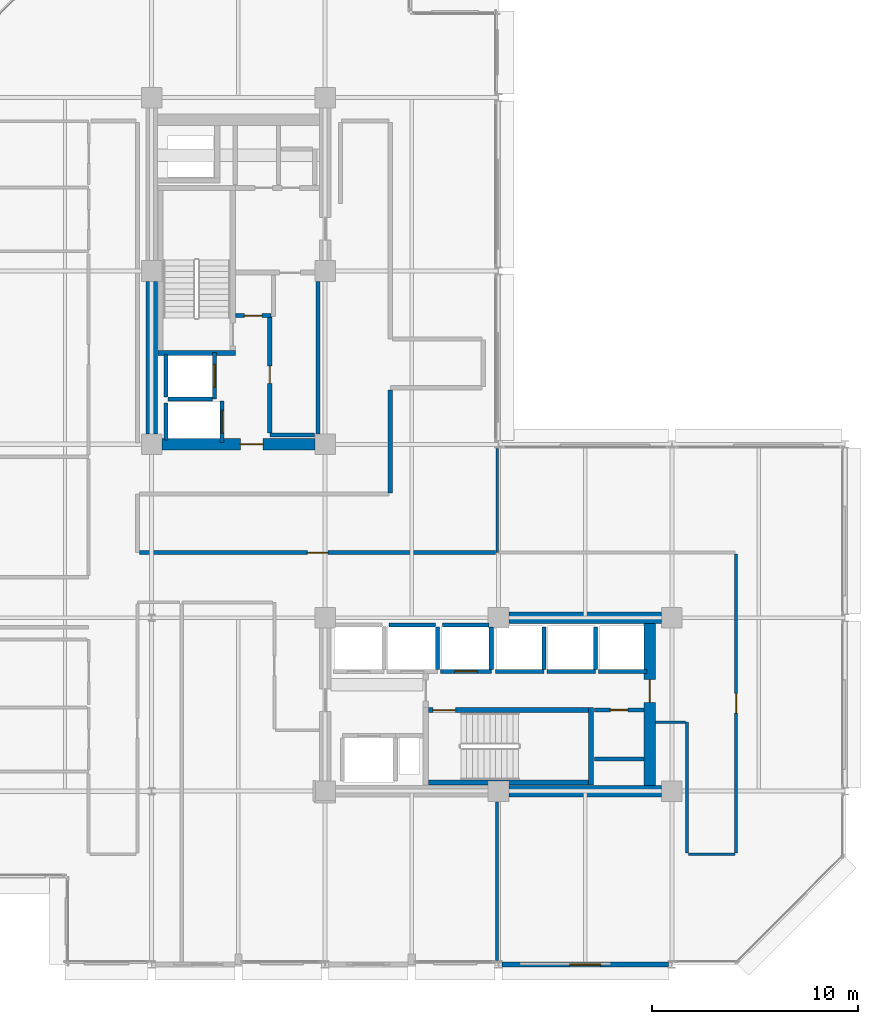
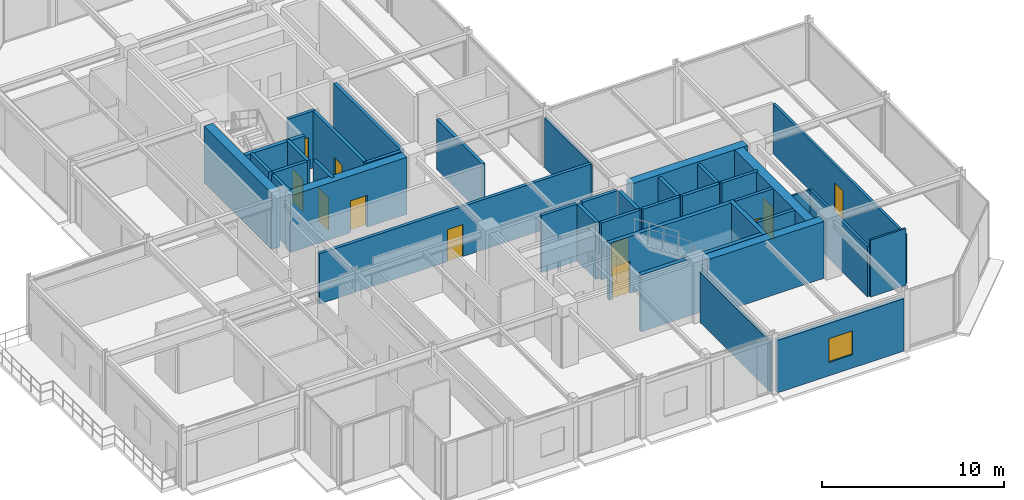
# One storey, part 25 of 29: 39 walls, 11 doors, 1 window, 12 openings.
"""IFC4 building model written with IfcOpenShell, lengths in metres."""

import ifcopenshell
import ifcopenshell.guid

model = None  # the IFC model being written
_history = None  # IfcOwnerHistory: only IFC2X3 demands one
_inside = {}  # id of a spatial element -> (the spatial element, [elements in it])
_under = {}  # id of a project, library or spatial element -> (it, [spatial elements below it])
_declared = {}  # id of a project -> (the project, [libraries it declares])
_typed = {}  # id of a type object -> (the type object, [elements of that type])
_made_of = {}  # id of a material, layer set ... -> (it, [elements and type objects made of it])


def new_model(schema):
    """Start an empty IFC model of exactly this schema.

    Asked for "IFC4X3", IfcOpenShell would pick the latest addendum, in which some entities
    have other attributes; the version numbers below select the first issue.
    IFC2X3 requires an IfcOwnerHistory on every rooted entity: one is made here for all.
    """
    global model, _history
    if schema == "IFC4X3":
        model = ifcopenshell.file(schema_version=(4, 3, 0, 0))
    else:
        model = ifcopenshell.file(schema=schema)
    _inside.clear()
    _under.clear()
    _declared.clear()
    _typed.clear()
    _made_of.clear()
    _history = None
    if model.schema == "IFC2X3":
        org = make("IfcOrganization", Name="unknown")
        user = make(
            "IfcPersonAndOrganization",
            ThePerson=make("IfcPerson", FamilyName="unknown"),
            TheOrganization=org,
        )
        app = make(
            "IfcApplication",
            ApplicationDeveloper=org,
            Version="unknown",
            ApplicationFullName="unknown",
            ApplicationIdentifier="unknown",
        )
        _history = make(
            "IfcOwnerHistory",
            OwningUser=user,
            OwningApplication=app,
            ChangeAction="ADDED",
            CreationDate=0,
        )
    return model


def make(cls, **values):
    """One entity of the class cls with the attributes given. An attribute that is None is left unset."""
    return model.create_entity(
        cls, **{name: value for name, value in values.items() if value is not None}
    )


def rooted(cls, **values):
    """An entity with a GlobalId (a new one), such as an element, a storey or a relation."""
    return make(cls, GlobalId=ifcopenshell.guid.new(), OwnerHistory=_history, **values)


def si_unit(unit_type, name, prefix=None):
    """IfcSIUnit, for example si_unit("LENGTHUNIT", "METRE", prefix="MILLI")."""
    return make("IfcSIUnit", UnitType=unit_type, Prefix=prefix, Name=name)


def assignment(units):
    """IfcUnitAssignment: the units of a project."""
    return None if units is None else make("IfcUnitAssignment", Units=units)


def point(xyz):
    """IfcCartesianPoint."""
    return None if xyz is None else make("IfcCartesianPoint", Coordinates=xyz)


def direction(xyz):
    """IfcDirection."""
    return None if xyz is None else make("IfcDirection", DirectionRatios=xyz)


def frame(location, z_axis=None, x_axis=None):
    """IfcAxis2Placement3D, a coordinate frame: its origin and axes. An axis left out is left unset."""
    return make(
        "IfcAxis2Placement3D",
        Location=point(location),
        Axis=direction(z_axis),
        RefDirection=direction(x_axis),
    )


def frame_2d(location, x_axis=None):
    """IfcAxis2Placement2D, a coordinate frame in the plane: its origin and x axis."""
    return make(
        "IfcAxis2Placement2D", Location=point(location), RefDirection=direction(x_axis)
    )


def origin():
    """The frame at (0, 0, 0) with its axes left unset."""
    return frame((0.0, 0.0, 0.0))


def place(relative_to, where):
    """IfcLocalPlacement: puts the frame where relative to a parent placement (None: the world)."""
    return make(
        "IfcLocalPlacement", PlacementRelTo=relative_to, RelativePlacement=where
    )


def context(
    kind, dimensions, precision=None, world=None, true_north=None, identifier=None
):
    """IfcGeometricRepresentationContext, for example the 3D "Model" context."""
    return make(
        "IfcGeometricRepresentationContext",
        ContextIdentifier=identifier,
        ContextType=kind,
        CoordinateSpaceDimension=dimensions,
        Precision=precision,
        WorldCoordinateSystem=world,
        TrueNorth=true_north,
    )


def subcontext(parent, identifier, kind, view, scale=None):
    """IfcGeometricRepresentationSubContext, for example "Body" below "Model"."""
    return make(
        "IfcGeometricRepresentationSubContext",
        ContextIdentifier=identifier,
        ContextType=kind,
        ParentContext=parent,
        TargetScale=scale,
        TargetView=view,
    )


def project(units=None, contexts=None):
    """IfcProject with its units and contexts."""
    return rooted(
        "IfcProject",
        Name="project",
        RepresentationContexts=contexts,
        UnitsInContext=assignment(units),
    )


def spatial(cls, under=None, at=None, **own):
    """A site, building, storey or space (cls), placed at a placement, below another one or the project."""
    s = rooted(cls, ObjectPlacement=at, **own)
    if under is not None:
        _under.setdefault(under.id(), (under, []))[1].append(s)
    return s


def profile(cls, at=None, kind="AREA", **sizes):
    """A parametric profile (cls). Its sizes go by their IFC names, for example OverallWidth=200.0."""
    return make(cls, ProfileType=kind, Position=at, **sizes)


def rectangle(**sizes):
    """IfcRectangleProfileDef."""
    return profile("IfcRectangleProfileDef", **sizes)


def extrude(swept, where, along, depth):
    """IfcExtrudedAreaSolid: the profile swept, set in the frame where, extruded along a direction by depth."""
    return make(
        "IfcExtrudedAreaSolid",
        SweptArea=swept,
        Position=where,
        ExtrudedDirection=direction(along),
        Depth=depth,
    )


def shape(context_of_items, identifier, shape_type, items):
    """IfcShapeRepresentation: the items that make up one representation, for example the "Body"."""
    return make(
        "IfcShapeRepresentation",
        ContextOfItems=context_of_items,
        RepresentationIdentifier=identifier,
        RepresentationType=shape_type,
        Items=items,
    )


def material(Name=None, Category=None):
    """IfcMaterial."""
    return make("IfcMaterial", Name=Name, Category=Category)


def layer(
    of_material, thickness, ventilated=None, Name=None, Category=None, Priority=None
):
    """IfcMaterialLayer: one layer of a wall or slab, of a material (None: an air gap)."""
    return make(
        "IfcMaterialLayer",
        Material=of_material,
        LayerThickness=thickness,
        IsVentilated=ventilated,
        Name=Name,
        Category=Category,
        Priority=Priority,
    )


def layer_set(layers, Name=None):
    """IfcMaterialLayerSet."""
    return make("IfcMaterialLayerSet", MaterialLayers=layers, LayerSetName=Name)


def made_of(thing, what):
    """Note that an element or type object is made of a material, layer set ...; save() writes the relation."""
    if what is not None:
        _made_of.setdefault(what.id(), (what, []))[1].append(thing)
    return thing


def type_object(cls, material=None, **own):
    """A type object (cls), such as IfcWallType, which elements share."""
    return made_of(rooted(cls, **own), material)


def element(
    cls,
    number,
    at=None,
    inside=None,
    cuts=None,
    type_object=None,
    material=None,
    context=None,
    identifier="Body",
    shape_type=None,
    held_by="IfcProductDefinitionShape",
    body=None,
    shapes=None,
    **own,
):
    """One element of the class cls, such as IfcWall. Its Tag is "e" and its number.

    at: its placement. inside: the storey or other place that contains it. cuts: it is an
    opening in that element (IfcRelVoidsElement). A single representation is given by context,
    identifier, shape_type and body (its items); several are given by shapes. held_by: the class
    of the entity that holds the representations. save() writes the other relations.
    """
    e = rooted(cls, Tag="e%d" % number, ObjectPlacement=at, **own)
    if body is not None:
        shapes = [shape(context, identifier, shape_type, body)]
    if shapes is not None:
        e.Representation = make(held_by, Representations=shapes)
    if inside is not None:
        _inside.setdefault(inside.id(), (inside, []))[1].append(e)
    if cuts is not None:
        rooted(
            "IfcRelVoidsElement", RelatingBuildingElement=cuts, RelatedOpeningElement=e
        )
    if type_object is not None:
        _typed.setdefault(type_object.id(), (type_object, []))[1].append(e)
    return made_of(e, material)


def fill(opening, filler):
    """IfcRelFillsElement: the door or window that sits in an opening."""
    return rooted(
        "IfcRelFillsElement",
        RelatingOpeningElement=opening,
        RelatedBuildingElement=filler,
    )


def aggregate(whole, parts):
    """IfcRelAggregates: a whole, such as a stair, and the parts it consists of."""
    return rooted("IfcRelAggregates", RelatingObject=whole, RelatedObjects=parts)


def save(model, path):
    """Write the relations noted so far, then the file.

    IfcRelAggregates (storeys below a building ...), IfcRelContainedInSpatialStructure (elements
    in a storey), IfcRelDefinesByType, IfcRelAssociatesMaterial and IfcRelDeclares: one each for
    every whole, place, type object, material and project.
    """
    for whole, parts in _under.values():
        aggregate(whole, parts)
    for where, things in _inside.values():
        rooted(
            "IfcRelContainedInSpatialStructure",
            RelatedElements=things,
            RelatingStructure=where,
        )
    for kind, things in _typed.values():
        rooted("IfcRelDefinesByType", RelatedObjects=things, RelatingType=kind)
    for what, things in _made_of.values():
        rooted("IfcRelAssociatesMaterial", RelatedObjects=things, RelatingMaterial=what)
    for by, libraries in _declared.values():
        rooted("IfcRelDeclares", RelatingContext=by, RelatedDefinitions=libraries)
    model.write(path)


model = new_model("IFC4")

# Units and contexts
model_context = context("Model", 3, precision=1e-05, world=origin(), true_north=direction((0.0, 1.0)))
body_context = subcontext(model_context, "Body", "Model", "MODEL_VIEW")
ifc_project = project(units=[si_unit("LENGTHUNIT", "METRE"), si_unit("AREAUNIT", "SQUARE_METRE"), si_unit("VOLUMEUNIT", "CUBIC_METRE"), si_unit("PLANEANGLEUNIT", "RADIAN"), si_unit("MASSUNIT", "GRAM", prefix="KILO")], contexts=[model_context])

# Site, building, storey
site_placement = place(None, origin())
site = spatial("IfcSite", under=ifc_project, at=site_placement, CompositionType="ELEMENT")
building_placement = place(site_placement, origin())
building = spatial("IfcBuilding", under=site, at=building_placement, Name="Nerrivon Quay Data Exchange", CompositionType="ELEMENT")
storey_placement = place(building_placement, frame((0.0, 0.0, 191.89990234375)))
storey = spatial("IfcBuildingStorey", under=building, at=storey_placement, Name="L45", CompositionType="ELEMENT", Elevation=191.89990234375)

# Wall, opening, window
ifc_material_1 = material(Name="Architectural terracotta precast concrete N50 (50 MPa)", Category="masonry")
ifc_layer_1 = layer(ifc_material_1, 0.239990234375)
ifc_layer_set_1 = layer_set([ifc_layer_1], Name="Architectural terracotta precast concrete N50 (50 MPa)")
wall_type_1 = type_object("IfcWallType", Name="EW-PREC-240", PredefinedType="STANDARD", material=ifc_layer_set_1)
wall_1_placement = place(storey_placement, frame((33.425048828125, 0.0, 0.0), z_axis=(0.0, 0.0, 1.0), x_axis=(-1.0, 0.0, 0.0)))
wall_1 = element("IfcWall", 1, at=wall_1_placement, inside=storey, type_object=wall_type_1, Name="L45 Podium Precast Spandrel Wall 23", PredefinedType="STANDARD", context=body_context, shape_type="SweptSolid", body=[
    extrude(rectangle(XDim=8.050048828125, YDim=0.239990234375, at=frame_2d((4.02490234375, 0.0))), origin(), (0.0, 0.0, 1.0), 3.525146484375),
])
opening_1_placement = place(wall_1_placement, frame((3.27490234375, 0.0, 0.89990234375)))
opening_1 = element("IfcOpeningElement", 2, at=opening_1_placement, cuts=wall_1, Name="Opening WN4", PredefinedType="OPENING", context=body_context, shape_type="SweptSolid", body=[
    extrude(rectangle(XDim=1.5, YDim=1.60009765625, at=frame_2d((0.75, 0.800048828125))), frame((0.0, 0.1298828125, 0.0), z_axis=(0.0, -1.0, 0.0), x_axis=(1.0, 0.0, 0.0)), (0.0, 0.0, 1.0), 0.260009765625),
])
ifc_material_2 = material(Name="Double-glazed low-E solar control glass", Category="glass")
window_type = type_object("IfcWindowType", Name="WIN-W4-1500x1600", PartitioningType="SINGLE_PANEL", PredefinedType="WINDOW", material=ifc_material_2)
window_placement = place(opening_1_placement, origin())
window = element("IfcWindow", 3, at=window_placement, inside=storey, type_object=window_type, Name="L45 Solar Facade Window 23", OverallHeight=1.60009765625, OverallWidth=1.5, PartitioningType="SINGLE_PANEL", PredefinedType="WINDOW", context=body_context, shape_type="SweptSolid", body=[
    extrude(rectangle(XDim=1.5, YDim=1.60009765625, at=frame_2d((0.75, 0.800048828125))), frame((0.0, 0.030029296875, 0.0), z_axis=(0.0, -1.0, 0.0), x_axis=(1.0, 0.0, 0.0)), (0.0, 0.0, 1.0), 0.06005859375),
])
fill(opening_1, window)

# Wall
ifc_material_3 = material(Name="Concrete S65 (65 MPa)", Category="concrete")
ifc_layer_2 = layer(ifc_material_3, 0.550048828125)
ifc_layer_set_2 = layer_set([ifc_layer_2], Name="Concrete S65 (65 MPa)")
wall_type_2 = type_object("IfcWallType", Name="WALL-CW-700", PredefinedType="SHEAR", material=ifc_layer_set_2)
wall_2_placement = place(storey_placement, frame((8.39990234375, 25.699951171875, 0.0), z_axis=(0.0, 0.0, 1.0), x_axis=(0.0, 1.0, 0.0)))
element("IfcWall", 4, at=wall_2_placement, inside=storey, type_object=wall_type_2, Name="L45 West Split-Core Shear Wall WCW-W1", PredefinedType="SHEAR", context=body_context, shape_type="SweptSolid", body=[
    extrude(rectangle(XDim=7.400146484375, YDim=0.550048828125, at=frame_2d((3.7001953125, 0.0))), origin(), (0.0, 0.0, 1.0), 3.8251953125),
])

# Wall, opening, door
wall_3_placement = place(storey_placement, frame((8.89990234375, 25.199951171875, 0.0), z_axis=(0.0, 0.0, 1.0), x_axis=(1.0, 0.0, 0.0)))
wall_3 = element("IfcWall", 5, at=wall_3_placement, inside=storey, type_object=wall_type_2, Name="L45 West Split-Core Shear Wall WCW-S1", PredefinedType="SHEAR", context=body_context, shape_type="SweptSolid", body=[
    extrude(rectangle(XDim=7.400146484375, YDim=0.550048828125, at=frame_2d((3.7001953125, 0.0))), origin(), (0.0, 0.0, 1.0), 3.8251953125),
])
opening_2_placement = place(wall_3_placement, frame((3.800048828125, 0.0, 0.0)))
opening_2 = element("IfcOpeningElement", 6, at=opening_2_placement, cuts=wall_3, Name="Opening FD-120", PredefinedType="OPENING", context=body_context, shape_type="SweptSolid", body=[
    extrude(rectangle(XDim=1.10009765625, YDim=2.14990234375, at=frame_2d((0.550048828125, 1.074951171875))), frame((0.0, 0.284912109375, 0.0), z_axis=(0.0, -1.0, 0.0), x_axis=(1.0, 0.0, 0.0)), (0.0, 0.0, 1.0), 0.570068359375),
])
ifc_material_4 = material(Name="Powder-coated galvanized steel sheet", Category="steel")
door_type_1 = type_object("IfcDoorType", Name="DR-FD120-1100", OperationType="NOTDEFINED", PredefinedType="DOOR", material=ifc_material_4)
door_1_placement = place(opening_2_placement, origin())
door_1 = element("IfcDoor", 7, at=door_1_placement, inside=storey, type_object=door_type_1, Name="L45 West Core Lobby Fire Door", OperationType="SINGLE_SWING_RIGHT", OverallHeight=2.14990234375, OverallWidth=1.10009765625, PredefinedType="DOOR", context=body_context, shape_type="SweptSolid", body=[
    extrude(rectangle(XDim=1.10009765625, YDim=2.14990234375, at=frame_2d((0.550048828125, 1.074951171875))), frame((0.0, 0.02490234375, 0.0), z_axis=(0.0, -1.0, 0.0), x_axis=(1.0, 0.0, 0.0)), (0.0, 0.0, 1.0), 0.050048828125),
])
fill(opening_2, door_1)

# Wall
wall_4_placement = place(storey_placement, frame((25.699951171875, 8.39990234375, 0.0), z_axis=(0.0, 0.0, 1.0), x_axis=(1.0, 0.0, 0.0)))
element("IfcWall", 8, at=wall_4_placement, inside=storey, type_object=wall_type_2, Name="L45 East Split-Core Shear Wall ECW-S2", PredefinedType="SHEAR", context=body_context, shape_type="SweptSolid", body=[
    extrude(rectangle(XDim=7.400146484375, YDim=0.550048828125, at=frame_2d((3.7001953125, 0.0))), origin(), (0.0, 0.0, 1.0), 3.8251953125),
])

# Wall, opening, door
wall_5_placement = place(storey_placement, frame((32.52490234375, 8.675048828125, 0.0), z_axis=(0.0, 0.0, 1.0), x_axis=(0.0, 1.0, 0.0)))
wall_5 = element("IfcWall", 9, at=wall_5_placement, inside=storey, type_object=wall_type_2, Name="L45 East Split-Core Shear Wall ECW-E1", PredefinedType="SHEAR", context=body_context, shape_type="SweptSolid", body=[
    extrude(rectangle(XDim=7.849853515625, YDim=0.550048828125, at=frame_2d((3.9248046875, 0.0))), origin(), (0.0, 0.0, 1.0), 3.8251953125),
])
opening_3_placement = place(wall_5_placement, frame((4.02490234375, 0.0, 0.0)))
opening_3 = element("IfcOpeningElement", 10, at=opening_3_placement, cuts=wall_5, Name="Opening FD-120", PredefinedType="OPENING", context=body_context, shape_type="SweptSolid", body=[
    extrude(rectangle(XDim=1.10009765625, YDim=2.14990234375, at=frame_2d((0.550048828125, 1.074951171875))), frame((0.0, 0.284912109375, 0.0), z_axis=(0.0, -1.0, 0.0), x_axis=(1.0, 0.0, 0.0)), (0.0, 0.0, 1.0), 0.570068359375),
])
door_2_placement = place(opening_3_placement, origin())
door_2 = element("IfcDoor", 11, at=door_2_placement, inside=storey, type_object=door_type_1, Name="L45 East Core Lobby Fire Door", OperationType="SINGLE_SWING_LEFT", OverallHeight=2.14990234375, OverallWidth=1.10009765625, PredefinedType="DOOR", context=body_context, shape_type="SweptSolid", body=[
    extrude(rectangle(XDim=1.10009765625, YDim=2.14990234375, at=frame_2d((0.550048828125, 1.074951171875))), frame((0.0, 0.02490234375, 0.0), z_axis=(0.0, -1.0, 0.0), x_axis=(1.0, 0.0, 0.0)), (0.0, 0.0, 1.0), 0.050048828125),
])
fill(opening_3, door_2)

# Wall
wall_6_placement = place(storey_placement, frame((25.699951171875, 16.800048828125, 0.0), z_axis=(0.0, 0.0, 1.0), x_axis=(1.0, 0.0, 0.0)))
element("IfcWall", 12, at=wall_6_placement, inside=storey, type_object=wall_type_2, Name="L45 East Split-Core Shear Wall ECW-N1", PredefinedType="SHEAR", context=body_context, shape_type="SweptSolid", body=[
    extrude(rectangle(XDim=7.400146484375, YDim=0.550048828125, at=frame_2d((3.7001953125, 0.0))), origin(), (0.0, 0.0, 1.0), 3.8251953125),
])

# Wall, opening, door
ifc_material_5 = material(Name="Gypsum plasterboard on cold-formed framing", Category="gypsum")
ifc_layer_3 = layer(ifc_material_5, 0.199951171875)
ifc_layer_set_3 = layer_set([ifc_layer_3], Name="Gypsum plasterboard on cold-formed framing")
wall_type_3 = type_object("IfcWallType", Name="WALL-FW-200", PredefinedType="PARTITIONING", material=ifc_layer_set_3)
wall_7_placement = place(storey_placement, frame((11.449951171875, 27.39990234375, 0.0), z_axis=(0.0, 0.0, 1.0), x_axis=(0.0, 1.0, 0.0)))
wall_7 = element("IfcWall", 13, at=wall_7_placement, inside=storey, type_object=wall_type_3, Name="L45 Lift Front Wall FFL-1", PredefinedType="PARTITIONING", context=body_context, shape_type="SweptSolid", body=[
    extrude(rectangle(XDim=2.25, YDim=0.199951171875, at=frame_2d((1.125, 0.0))), origin(), (0.0, 0.0, 1.0), 3.8251953125),
])
opening_4_placement = place(wall_7_placement, frame((0.574951171875, 0.0, 0.0)))
opening_4 = element("IfcOpeningElement", 14, at=opening_4_placement, cuts=wall_7, Name="Opening LD-120", PredefinedType="OPENING", context=body_context, shape_type="SweptSolid", body=[
    extrude(rectangle(XDim=1.10009765625, YDim=2.199951171875, at=frame_2d((0.550048828125, 1.10009765625))), frame((0.0, 0.10986328125, 0.0), z_axis=(0.0, -1.0, 0.0), x_axis=(1.0, 0.0, 0.0)), (0.0, 0.0, 1.0), 0.219970703125),
])
door_type_2 = type_object("IfcDoorType", Name="DR-LIFT-LD120", OperationType="DOUBLE_DOOR_SLIDING", PredefinedType="DOOR", material=ifc_material_4)
door_3_placement = place(opening_4_placement, origin())
door_3 = element("IfcDoor", 15, at=door_3_placement, inside=storey, type_object=door_type_2, Name="L45 Lift Landing Sliding Door FFL-1", OperationType="DOUBLE_DOOR_SLIDING", OverallHeight=2.199951171875, OverallWidth=1.10009765625, PredefinedType="DOOR", context=body_context, shape_type="SweptSolid", body=[
    extrude(rectangle(XDim=1.10009765625, YDim=2.199951171875, at=frame_2d((0.550048828125, 1.10009765625))), frame((0.0, 0.02490234375, 0.0), z_axis=(0.0, -1.0, 0.0), x_axis=(1.0, 0.0, 0.0)), (0.0, 0.0, 1.0), 0.050048828125),
])
fill(opening_4, door_3)

# Walls
wall_8_placement = place(storey_placement, frame((9.10009765625, 27.5, 0.0), z_axis=(0.0, 0.0, 1.0), x_axis=(0.0, 1.0, 0.0)))
element("IfcWall", 16, at=wall_8_placement, inside=storey, type_object=wall_type_3, Name="L45 Lift Shaft Wall FFL-1 WEST", PredefinedType="PARTITIONING", context=body_context, shape_type="SweptSolid", body=[
    extrude(rectangle(XDim=2.050048828125, YDim=0.199951171875, at=frame_2d((1.02490234375, 0.0))), origin(), (0.0, 0.0, 1.0), 3.8251953125),
])
wall_9_placement = place(storey_placement, frame((9.199951171875, 27.39990234375, 0.0), z_axis=(0.0, 0.0, 1.0), x_axis=(1.0, 0.0, 0.0)))
element("IfcWall", 17, at=wall_9_placement, inside=storey, type_object=wall_type_3, Name="L45 Lift Shaft Wall FFL-1 SOUTH", PredefinedType="PARTITIONING", context=body_context, shape_type="SweptSolid", body=[
    extrude(rectangle(XDim=2.150146484375, YDim=0.199951171875, at=frame_2d((1.0751953125, 0.0))), origin(), (0.0, 0.0, 1.0), 3.8251953125),
])

# Wall, opening, door
wall_10_placement = place(storey_placement, frame((11.800048828125, 25.300048828125, 0.0), z_axis=(0.0, 0.0, 1.0), x_axis=(0.0, 1.0, 0.0)))
wall_10 = element("IfcWall", 18, at=wall_10_placement, inside=storey, type_object=wall_type_3, Name="L45 Lift Front Wall SVL-1", PredefinedType="PARTITIONING", context=body_context, shape_type="SweptSolid", body=[
    extrude(rectangle(XDim=2.0, YDim=0.199951171875, at=frame_2d((1.0, 0.0))), origin(), (0.0, 0.0, 1.0), 3.8251953125),
])
opening_5_placement = place(wall_10_placement, frame((0.449951171875, 0.0, 0.0)))
opening_5 = element("IfcOpeningElement", 19, at=opening_5_placement, cuts=wall_10, Name="Opening LD-120", PredefinedType="OPENING", context=body_context, shape_type="SweptSolid", body=[
    extrude(rectangle(XDim=1.10009765625, YDim=2.199951171875, at=frame_2d((0.550048828125, 1.10009765625))), frame((0.0, 0.10986328125, 0.0), z_axis=(0.0, -1.0, 0.0), x_axis=(1.0, 0.0, 0.0)), (0.0, 0.0, 1.0), 0.219970703125),
])
door_4_placement = place(opening_5_placement, origin())
door_4 = element("IfcDoor", 20, at=door_4_placement, inside=storey, type_object=door_type_2, Name="L45 Lift Landing Sliding Door SVL-1", OperationType="DOUBLE_DOOR_SLIDING", OverallHeight=2.199951171875, OverallWidth=1.10009765625, PredefinedType="DOOR", context=body_context, shape_type="SweptSolid", body=[
    extrude(rectangle(XDim=1.10009765625, YDim=2.199951171875, at=frame_2d((0.550048828125, 1.10009765625))), frame((0.0, 0.02490234375, 0.0), z_axis=(0.0, -1.0, 0.0), x_axis=(1.0, 0.0, 0.0)), (0.0, 0.0, 1.0), 0.050048828125),
])
fill(opening_5, door_4)

# Walls
wall_11_placement = place(storey_placement, frame((9.10009765625, 25.39990234375, 0.0), z_axis=(0.0, 0.0, 1.0), x_axis=(0.0, 1.0, 0.0)))
element("IfcWall", 21, at=wall_11_placement, inside=storey, type_object=wall_type_3, Name="L45 Lift Shaft Wall SVL-1 WEST", PredefinedType="PARTITIONING", context=body_context, shape_type="SweptSolid", body=[
    extrude(rectangle(XDim=1.800048828125, YDim=0.199951171875, at=frame_2d((0.89990234375, 0.0))), origin(), (0.0, 0.0, 1.0), 3.8251953125),
])
wall_12_placement = place(storey_placement, frame((22.25, 14.300048828125, 0.0), z_axis=(0.0, 0.0, 1.0), x_axis=(0.0, 1.0, 0.0)))
element("IfcWall", 22, at=wall_12_placement, inside=storey, type_object=wall_type_3, Name="L45 Lift Shaft Wall PL5 EAST", PredefinedType="PARTITIONING", context=body_context, shape_type="SweptSolid", body=[
    extrude(rectangle(XDim=2.050048828125, YDim=0.199951171875, at=frame_2d((1.02490234375, 0.0))), origin(), (0.0, 0.0, 1.0), 3.8251953125),
])
wall_13_placement = place(storey_placement, frame((19.89990234375, 16.449951171875, 0.0), z_axis=(0.0, 0.0, 1.0), x_axis=(1.0, 0.0, 0.0)))
element("IfcWall", 23, at=wall_13_placement, inside=storey, type_object=wall_type_3, Name="L45 Lift Shaft Wall PL5 NORTH", PredefinedType="PARTITIONING", context=body_context, shape_type="SweptSolid", body=[
    extrude(rectangle(XDim=2.25, YDim=0.199951171875, at=frame_2d((1.125, 0.0))), origin(), (0.0, 0.0, 1.0), 3.8251953125),
])

# Wall, opening, door
wall_14_placement = place(storey_placement, frame((22.39990234375, 14.199951171875, 0.0), z_axis=(0.0, 0.0, 1.0), x_axis=(1.0, 0.0, 0.0)))
wall_14 = element("IfcWall", 24, at=wall_14_placement, inside=storey, type_object=wall_type_3, Name="L45 Lift Front Wall PL6", PredefinedType="PARTITIONING", context=body_context, shape_type="SweptSolid", body=[
    extrude(rectangle(XDim=2.4501953125, YDim=0.199951171875, at=frame_2d((1.22509765625, 0.0))), origin(), (0.0, 0.0, 1.0), 3.8251953125),
])
opening_6_placement = place(wall_14_placement, frame((0.675048828125, 0.0, 0.0)))
opening_6 = element("IfcOpeningElement", 25, at=opening_6_placement, cuts=wall_14, Name="Opening LD-120", PredefinedType="OPENING", context=body_context, shape_type="SweptSolid", body=[
    extrude(rectangle(XDim=1.10009765625, YDim=2.199951171875, at=frame_2d((0.550048828125, 1.10009765625))), frame((0.0, 0.10986328125, 0.0), z_axis=(0.0, -1.0, 0.0), x_axis=(1.0, 0.0, 0.0)), (0.0, 0.0, 1.0), 0.219970703125),
])
door_5_placement = place(opening_6_placement, origin())
door_5 = element("IfcDoor", 26, at=door_5_placement, inside=storey, type_object=door_type_2, Name="L45 Lift Landing Sliding Door PL6", OperationType="DOUBLE_DOOR_SLIDING", OverallHeight=2.199951171875, OverallWidth=1.10009765625, PredefinedType="DOOR", context=body_context, shape_type="SweptSolid", body=[
    extrude(rectangle(XDim=1.10009765625, YDim=2.199951171875, at=frame_2d((0.550048828125, 1.10009765625))), frame((0.0, 0.02490234375, 0.0), z_axis=(0.0, -1.0, 0.0), x_axis=(1.0, 0.0, 0.0)), (0.0, 0.0, 1.0), 0.050048828125),
])
fill(opening_6, door_5)

# Walls
wall_15_placement = place(storey_placement, frame((24.85009765625, 14.300048828125, 0.0), z_axis=(0.0, 0.0, 1.0), x_axis=(0.0, 1.0, 0.0)))
element("IfcWall", 27, at=wall_15_placement, inside=storey, type_object=wall_type_3, Name="L45 Lift Shaft Wall PL6 EAST", PredefinedType="PARTITIONING", context=body_context, shape_type="SweptSolid", body=[
    extrude(rectangle(XDim=2.050048828125, YDim=0.199951171875, at=frame_2d((1.02490234375, 0.0))), origin(), (0.0, 0.0, 1.0), 3.8251953125),
])
wall_16_placement = place(storey_placement, frame((22.5, 16.449951171875, 0.0), z_axis=(0.0, 0.0, 1.0), x_axis=(1.0, 0.0, 0.0)))
element("IfcWall", 28, at=wall_16_placement, inside=storey, type_object=wall_type_3, Name="L45 Lift Shaft Wall PL6 NORTH", PredefinedType="PARTITIONING", context=body_context, shape_type="SweptSolid", body=[
    extrude(rectangle(XDim=2.25, YDim=0.199951171875, at=frame_2d((1.125, 0.0))), origin(), (0.0, 0.0, 1.0), 3.8251953125),
])
wall_17_placement = place(storey_placement, frame((25.050048828125, 14.199951171875, 0.0), z_axis=(0.0, 0.0, 1.0), x_axis=(1.0, 0.0, 0.0)))
element("IfcWall", 29, at=wall_17_placement, inside=storey, type_object=wall_type_3, Name="L45 Lift Front Wall PL7", PredefinedType="PARTITIONING", context=body_context, shape_type="SweptSolid", body=[
    extrude(rectangle(XDim=2.349853515625, YDim=0.199951171875, at=frame_2d((1.1748046875, 0.0))), origin(), (0.0, 0.0, 1.0), 3.8251953125),
])
wall_18_placement = place(storey_placement, frame((27.39990234375, 14.300048828125, 0.0), z_axis=(0.0, 0.0, 1.0), x_axis=(0.0, 1.0, 0.0)))
element("IfcWall", 30, at=wall_18_placement, inside=storey, type_object=wall_type_3, Name="L45 Lift Shaft Wall PL7 EAST", PredefinedType="PARTITIONING", context=body_context, shape_type="SweptSolid", body=[
    extrude(rectangle(XDim=2.050048828125, YDim=0.199951171875, at=frame_2d((1.02490234375, 0.0))), origin(), (0.0, 0.0, 1.0), 3.8251953125),
])
wall_19_placement = place(storey_placement, frame((27.550048828125, 14.199951171875, 0.0), z_axis=(0.0, 0.0, 1.0), x_axis=(1.0, 0.0, 0.0)))
element("IfcWall", 31, at=wall_19_placement, inside=storey, type_object=wall_type_3, Name="L45 Lift Front Wall PL8", PredefinedType="PARTITIONING", context=body_context, shape_type="SweptSolid", body=[
    extrude(rectangle(XDim=2.349853515625, YDim=0.199951171875, at=frame_2d((1.1748046875, 0.0))), origin(), (0.0, 0.0, 1.0), 3.8251953125),
])
wall_20_placement = place(storey_placement, frame((29.89990234375, 14.300048828125, 0.0), z_axis=(0.0, 0.0, 1.0), x_axis=(0.0, 1.0, 0.0)))
element("IfcWall", 32, at=wall_20_placement, inside=storey, type_object=wall_type_3, Name="L45 Lift Shaft Wall PL8 EAST", PredefinedType="PARTITIONING", context=body_context, shape_type="SweptSolid", body=[
    extrude(rectangle(XDim=2.050048828125, YDim=0.199951171875, at=frame_2d((1.02490234375, 0.0))), origin(), (0.0, 0.0, 1.0), 3.8251953125),
])
wall_21_placement = place(storey_placement, frame((30.050048828125, 14.199951171875, 0.0), z_axis=(0.0, 0.0, 1.0), x_axis=(1.0, 0.0, 0.0)))
element("IfcWall", 33, at=wall_21_placement, inside=storey, type_object=wall_type_3, Name="L45 Lift Front Wall PL9", PredefinedType="PARTITIONING", context=body_context, shape_type="SweptSolid", body=[
    extrude(rectangle(XDim=2.349853515625, YDim=0.199951171875, at=frame_2d((1.1748046875, 0.0))), origin(), (0.0, 0.0, 1.0), 3.8251953125),
])
wall_22_placement = place(storey_placement, frame((14.1201171875, 25.64990234375, 0.0), z_axis=(0.0, 0.0, 1.0), x_axis=(1.0, 0.0, 0.0)))
element("IfcWall", 34, at=wall_22_placement, inside=storey, type_object=wall_type_3, Name="L45 Partition Core Equipment Store", PredefinedType="PARTITIONING", context=body_context, shape_type="SweptSolid", body=[
    extrude(rectangle(XDim=2.1748046875, YDim=0.199951171875, at=frame_2d((1.08740234375, 0.0))), origin(), (0.0, 0.0, 1.0), 3.8251953125),
])
wall_23_placement = place(storey_placement, frame((16.449951171875, 25.705078125, 0.0), z_axis=(0.0, 0.0, 1.0), x_axis=(0.0, 1.0, 0.0)))
element("IfcWall", 35, at=wall_23_placement, inside=storey, type_object=wall_type_3, Name="L45 Partition Core Equipment Store", PredefinedType="PARTITIONING", context=body_context, shape_type="SweptSolid", body=[
    extrude(rectangle(XDim=7.389892578125, YDim=0.199951171875, at=frame_2d((3.69482421875, 0.0))), origin(), (0.0, 0.0, 1.0), 3.8251953125),
])

# Wall, opening, door
wall_24_placement = place(storey_placement, frame((14.1201171875, 31.39990234375, 0.0), z_axis=(0.0, 0.0, 1.0), x_axis=(0.0, -1.0, 0.0)))
wall_24 = element("IfcWall", 36, at=wall_24_placement, inside=storey, type_object=wall_type_3, Name="L45 Partition Core Equipment Store", PredefinedType="PARTITIONING", context=body_context, shape_type="SweptSolid", body=[
    extrude(rectangle(XDim=5.64599609375, YDim=0.199951171875, at=frame_2d((2.822998046875, 0.0))), origin(), (0.0, 0.0, 1.0), 3.8251953125),
])
opening_7_placement = place(wall_24_placement, frame((2.39794921875, 0.0, 0.0)))
opening_7 = element("IfcOpeningElement", 37, at=opening_7_placement, cuts=wall_24, Name="Opening FD-60S", PredefinedType="OPENING", context=body_context, shape_type="SweptSolid", body=[
    extrude(rectangle(XDim=0.85009765625, YDim=2.14990234375, at=frame_2d((0.425048828125, 1.074951171875))), frame((0.0, 0.10986328125, 0.0), z_axis=(0.0, -1.0, 0.0), x_axis=(1.0, 0.0, 0.0)), (0.0, 0.0, 1.0), 0.219970703125),
])
ifc_material_6 = material(Name="Engineered hardwood timber", Category="wood")
door_type_3 = type_object("IfcDoorType", Name="DR-FD60-850", OperationType="NOTDEFINED", PredefinedType="DOOR", material=ifc_material_6)
door_6_placement = place(opening_7_placement, origin())
door_6 = element("IfcDoor", 38, at=door_6_placement, inside=storey, type_object=door_type_3, Name="L45 Door Core Equipment Store", OperationType="SINGLE_SWING_LEFT", OverallHeight=2.14990234375, OverallWidth=0.85009765625, PredefinedType="DOOR", context=body_context, shape_type="SweptSolid", body=[
    extrude(rectangle(XDim=0.85009765625, YDim=2.14990234375, at=frame_2d((0.425048828125, 1.074951171875))), frame((0.0, 0.02490234375, 0.0), z_axis=(0.0, -1.0, 0.0), x_axis=(1.0, 0.0, 0.0)), (0.0, 0.0, 1.0), 0.050048828125),
])
fill(opening_7, door_6)

wall_25_placement = place(storey_placement, frame((12.4541015625, 31.43994140625, 0.0), z_axis=(0.0, 0.0, 1.0), x_axis=(1.0, 0.0, 0.0)))
wall_25 = element("IfcWall", 39, at=wall_25_placement, inside=storey, type_object=wall_type_3, Name="L45 Partition Optical Patch Closet", PredefinedType="PARTITIONING", context=body_context, shape_type="SweptSolid", body=[
    extrude(rectangle(XDim=1.725830078125, YDim=0.199951171875, at=frame_2d((0.86279296875, 0.0))), origin(), (0.0, 0.0, 1.0), 3.8251953125),
])
opening_8_placement = place(wall_25_placement, frame((0.43798828125, 0.0, 0.0)))
opening_8 = element("IfcOpeningElement", 40, at=opening_8_placement, cuts=wall_25, Name="Opening FD-60S", PredefinedType="OPENING", context=body_context, shape_type="SweptSolid", body=[
    extrude(rectangle(XDim=0.85009765625, YDim=2.14990234375, at=frame_2d((0.425048828125, 1.074951171875))), frame((0.0, 0.10986328125, 0.0), z_axis=(0.0, -1.0, 0.0), x_axis=(1.0, 0.0, 0.0)), (0.0, 0.0, 1.0), 0.219970703125),
])
door_7_placement = place(opening_8_placement, origin())
door_7 = element("IfcDoor", 41, at=door_7_placement, inside=storey, type_object=door_type_3, Name="L45 Door Optical Patch Closet", OperationType="SINGLE_SWING_RIGHT", OverallHeight=2.14990234375, OverallWidth=0.85009765625, PredefinedType="DOOR", context=body_context, shape_type="SweptSolid", body=[
    extrude(rectangle(XDim=0.85009765625, YDim=2.14990234375, at=frame_2d((0.425048828125, 1.074951171875))), frame((0.0, 0.02490234375, 0.0), z_axis=(0.0, -1.0, 0.0), x_axis=(1.0, 0.0, 0.0)), (0.0, 0.0, 1.0), 0.050048828125),
])
fill(opening_8, door_7)

wall_26_placement = place(storey_placement, frame((32.24609375, 12.330078125, 0.0), z_axis=(0.0, 0.0, 1.0), x_axis=(-1.0, 0.0, 0.0)))
wall_26 = element("IfcWall", 42, at=wall_26_placement, inside=storey, type_object=wall_type_3, Name="L45 Partition East Supply Store", PredefinedType="PARTITIONING", context=body_context, shape_type="SweptSolid", body=[
    extrude(rectangle(XDim=2.39599609375, YDim=0.199951171875, at=frame_2d((1.197998046875, 0.0))), origin(), (0.0, 0.0, 1.0), 3.8251953125),
])
opening_9_placement = place(wall_26_placement, frame((0.77294921875, 0.0, 0.0)))
opening_9 = element("IfcOpeningElement", 43, at=opening_9_placement, cuts=wall_26, Name="Opening FD-60S", PredefinedType="OPENING", context=body_context, shape_type="SweptSolid", body=[
    extrude(rectangle(XDim=0.85009765625, YDim=2.14990234375, at=frame_2d((0.425048828125, 1.074951171875))), frame((0.0, 0.10986328125, 0.0), z_axis=(0.0, -1.0, 0.0), x_axis=(1.0, 0.0, 0.0)), (0.0, 0.0, 1.0), 0.219970703125),
])
door_8_placement = place(opening_9_placement, origin())
door_8 = element("IfcDoor", 44, at=door_8_placement, inside=storey, type_object=door_type_3, Name="L45 Door East Supply Store", OperationType="SINGLE_SWING_LEFT", OverallHeight=2.14990234375, OverallWidth=0.85009765625, PredefinedType="DOOR", context=body_context, shape_type="SweptSolid", body=[
    extrude(rectangle(XDim=0.85009765625, YDim=2.14990234375, at=frame_2d((0.425048828125, 1.074951171875))), frame((0.0, 0.02490234375, 0.0), z_axis=(0.0, -1.0, 0.0), x_axis=(1.0, 0.0, 0.0)), (0.0, 0.0, 1.0), 0.050048828125),
])
fill(opening_9, door_8)

# Wall
wall_27_placement = place(storey_placement, frame((29.85009765625, 9.949951171875, 0.0), z_axis=(0.0, 0.0, 1.0), x_axis=(1.0, 0.0, 0.0)))
element("IfcWall", 45, at=wall_27_placement, inside=storey, type_object=wall_type_3, Name="L45 Partition East Supply Store", PredefinedType="PARTITIONING", context=body_context, shape_type="SweptSolid", body=[
    extrude(rectangle(XDim=2.39599609375, YDim=0.199951171875, at=frame_2d((1.197998046875, 0.0))), origin(), (0.0, 0.0, 1.0), 3.8251953125),
])

# Wall, opening, door
wall_28_placement = place(storey_placement, frame((7.81396484375, 19.9599609375, 0.0), z_axis=(0.0, 0.0, 1.0), x_axis=(1.0, 0.0, 0.0)))
wall_28 = element("IfcWall", 46, at=wall_28_placement, inside=storey, type_object=wall_type_3, Name="L45 Partition Colocation Data Workspace 1", PredefinedType="PARTITIONING", context=body_context, shape_type="SweptSolid", body=[
    extrude(rectangle(XDim=17.25244140625, YDim=0.199951171875, at=frame_2d((8.626220703125, 0.0))), origin(), (0.0, 0.0, 1.0), 3.37109375),
])
opening_10_placement = place(wall_28_placement, frame((8.126220703125, 0.0, 0.0)))
opening_10 = element("IfcOpeningElement", 47, at=opening_10_placement, cuts=wall_28, Name="Opening FD-60", PredefinedType="OPENING", context=body_context, shape_type="SweptSolid", body=[
    extrude(rectangle(XDim=1.0, YDim=2.14990234375, at=frame_2d((0.5, 1.074951171875))), frame((0.0, 0.10986328125, 0.0), z_axis=(0.0, -1.0, 0.0), x_axis=(1.0, 0.0, 0.0)), (0.0, 0.0, 1.0), 0.219970703125),
])
door_type_4 = type_object("IfcDoorType", Name="DR-FD60-1000", OperationType="NOTDEFINED", PredefinedType="DOOR", material=ifc_material_6)
door_9_placement = place(opening_10_placement, origin())
door_9 = element("IfcDoor", 48, at=door_9_placement, inside=storey, type_object=door_type_4, Name="L45 Door Colocation Data Workspace 1", OperationType="SINGLE_SWING_RIGHT", OverallHeight=2.14990234375, OverallWidth=1.0, PredefinedType="DOOR", context=body_context, shape_type="SweptSolid", body=[
    extrude(rectangle(XDim=1.0, YDim=2.14990234375, at=frame_2d((0.5, 1.074951171875))), frame((0.0, 0.02490234375, 0.0), z_axis=(0.0, -1.0, 0.0), x_axis=(1.0, 0.0, 0.0)), (0.0, 0.0, 1.0), 0.050048828125),
])
fill(opening_10, door_9)

# Walls
wall_29_placement = place(storey_placement, frame((19.9599609375, 27.8359375, 0.0), z_axis=(0.0, 0.0, 1.0), x_axis=(0.0, -1.0, 0.0)))
element("IfcWall", 49, at=wall_29_placement, inside=storey, type_object=wall_type_3, Name="L45 Partition Colocation Data Workspace 1", PredefinedType="PARTITIONING", context=body_context, shape_type="SweptSolid", body=[
    extrude(rectangle(XDim=4.98583984375, YDim=0.199951171875, at=frame_2d((2.492919921875, 0.0))), origin(), (0.0, 0.0, 1.0), 3.364990234375),
])
ifc_layer_4 = layer(ifc_material_5, 0.1201171875)
ifc_layer_set_4 = layer_set([ifc_layer_4], Name="Gypsum plasterboard on cold-formed framing")
wall_type_4 = type_object("IfcWallType", Name="WALL-PT-120", PredefinedType="PARTITIONING", material=ifc_layer_set_4)
wall_30_placement = place(storey_placement, frame((36.64990234375, 5.340087890625, 0.0), z_axis=(0.0, 0.0, 1.0), x_axis=(-1.0, 0.0, 0.0)))
element("IfcWall", 50, at=wall_30_placement, inside=storey, type_object=wall_type_4, Name="L45 Partition Technical Library", PredefinedType="PARTITIONING", context=body_context, shape_type="SweptSolid", body=[
    extrude(rectangle(XDim=2.25, YDim=0.1201171875, at=frame_2d((1.125, 0.0))), origin(), (0.0, 0.0, 1.0), 3.8251953125),
])
wall_31_placement = place(storey_placement, frame((34.260986328125, 11.739990234375, 0.0), z_axis=(0.0, 0.0, 1.0), x_axis=(-1.0, 0.0, 0.0)))
element("IfcWall", 51, at=wall_31_placement, inside=storey, type_object=wall_type_4, Name="L45 Partition Technical Library", PredefinedType="PARTITIONING", context=body_context, shape_type="SweptSolid", body=[
    extrude(rectangle(XDim=1.45703125, YDim=0.1201171875, at=frame_2d((0.728515625, 0.0))), origin(), (0.0, 0.0, 1.0), 3.37109375),
])
ifc_layer_5 = layer(ifc_material_5, 0.135009765625)
ifc_layer_set_5 = layer_set([ifc_layer_5], Name="Gypsum plasterboard on cold-formed framing")
wall_type_5 = type_object("IfcWallType", Name="WALL-PT-135", PredefinedType="PARTITIONING", material=ifc_layer_set_5)
wall_32_placement = place(storey_placement, frame((25.137939453125, 25.0048828125, 0.0), z_axis=(0.0, 0.0, 1.0), x_axis=(0.0, -1.0, 0.0)))
element("IfcWall", 52, at=wall_32_placement, inside=storey, type_object=wall_type_5, Name="L45 Partition Technical Library", PredefinedType="PARTITIONING", context=body_context, shape_type="SweptSolid", body=[
    extrude(rectangle(XDim=5.044921875, YDim=0.135009765625, at=frame_2d((2.5224609375, 0.0))), origin(), (0.0, 0.0, 1.0), 3.37109375),
])
ifc_layer_6 = layer(ifc_material_5, 0.14990234375)
ifc_layer_set_6 = layer_set([ifc_layer_6], Name="Gypsum plasterboard on cold-formed framing")
wall_type_6 = type_object("IfcWallType", Name="WALL-PT-150", PredefinedType="PARTITIONING", material=ifc_layer_set_6)
wall_33_placement = place(storey_placement, frame((25.137939453125, 0.195068359375, 0.0), z_axis=(0.0, 0.0, 1.0), x_axis=(0.0, 1.0, 0.0)))
element("IfcWall", 53, at=wall_33_placement, inside=storey, type_object=wall_type_6, Name="L45 Partition Client Conference Room 1", PredefinedType="PARTITIONING", context=body_context, shape_type="SweptSolid", body=[
    extrude(rectangle(XDim=7.684814453125, YDim=0.14990234375, at=frame_2d((3.84228515625, 0.0))), origin(), (0.0, 0.0, 1.0), 3.37109375),
])

# Wall, opening, door
wall_34_placement = place(storey_placement, frame((36.7099609375, 19.89990234375, 0.0), z_axis=(0.0, 0.0, 1.0), x_axis=(0.0, -1.0, 0.0)))
wall_34 = element("IfcWall", 54, at=wall_34_placement, inside=storey, type_object=wall_type_6, Name="L45 Partition Technical Library", PredefinedType="PARTITIONING", context=body_context, shape_type="SweptSolid", body=[
    extrude(rectangle(XDim=14.5, YDim=0.14990234375, at=frame_2d((7.25, 0.0))), origin(), (0.0, 0.0, 1.0), 3.364990234375),
])
opening_11_placement = place(wall_34_placement, frame((6.77490234375, 0.0, 0.0)))
opening_11 = element("IfcOpeningElement", 55, at=opening_11_placement, cuts=wall_34, Name="Opening D-01", PredefinedType="OPENING", context=body_context, shape_type="SweptSolid", body=[
    extrude(rectangle(XDim=0.949951171875, YDim=2.14990234375, at=frame_2d((0.47509765625, 1.074951171875))), frame((0.0, 0.0849609375, 0.0), z_axis=(0.0, -1.0, 0.0), x_axis=(1.0, 0.0, 0.0)), (0.0, 0.0, 1.0), 0.169921875),
])
door_type_5 = type_object("IfcDoorType", Name="DR-INT-950", OperationType="NOTDEFINED", PredefinedType="DOOR", material=ifc_material_6)
door_10_placement = place(opening_11_placement, origin())
door_10 = element("IfcDoor", 56, at=door_10_placement, inside=storey, type_object=door_type_5, Name="L45 Door Technical Library", OperationType="SINGLE_SWING_LEFT", OverallHeight=2.14990234375, OverallWidth=0.949951171875, PredefinedType="DOOR", context=body_context, shape_type="SweptSolid", body=[
    extrude(rectangle(XDim=0.949951171875, YDim=2.14990234375, at=frame_2d((0.47509765625, 1.074951171875))), frame((0.0, 0.02490234375, 0.0), z_axis=(0.0, -1.0, 0.0), x_axis=(1.0, 0.0, 0.0)), (0.0, 0.0, 1.0), 0.050048828125),
])
fill(opening_11, door_10)

# Walls
wall_35_placement = place(storey_placement, frame((34.340087890625, 5.39990234375, 0.0), z_axis=(0.0, 0.0, 1.0), x_axis=(0.0, 1.0, 0.0)))
element("IfcWall", 57, at=wall_35_placement, inside=storey, type_object=wall_type_6, Name="L45 Partition Technical Library", PredefinedType="PARTITIONING", context=body_context, shape_type="SweptSolid", body=[
    extrude(rectangle(XDim=6.340087890625, YDim=0.14990234375, at=frame_2d((3.169921875, 0.0))), origin(), (0.0, 0.0, 1.0), 3.364990234375),
])
ifc_material_7 = material(Name="Concrete N50 (50 MPa)", Category="concrete")
ifc_layer_7 = layer(ifc_material_7, 0.25)
ifc_layer_set_7 = layer_set([ifc_layer_7], Name="Concrete N50 (50 MPa)")
wall_type_7 = type_object("IfcWallType", Name="WALL-SW-250", PredefinedType="SHEAR", material=ifc_layer_set_7)
for number, where, z_axis, x_axis, name in (
    (58, (12.449951171875, 29.625, 0.0), (0.0, 0.0, 1.0), (-1.0, 0.0, 0.0), "L45 ST01 Structural Stair Core Wall NEAR"),
    (59, (29.675048828125, 8.699951171875, 0.0), (0.0, 0.0, 1.0), (0.0, 1.0, 0.0), "L45 ST02 Structural Stair Core Wall FAR"),
):
    element("IfcWall", number, at=place(storey_placement, frame(where, z_axis=z_axis, x_axis=x_axis)), inside=storey, type_object=wall_type_7, Name=name, PredefinedType="SHEAR", context=body_context, shape_type="SweptSolid", body=[
        extrude(rectangle(XDim=3.75, YDim=0.25, at=frame_2d((1.875, 0.0))), origin(), (0.0, 0.0, 1.0), 3.8251953125),
    ])
wall_36_placement = place(storey_placement, frame((21.800048828125, 8.824951171875, 0.0), z_axis=(0.0, 0.0, 1.0), x_axis=(1.0, 0.0, 0.0)))
element("IfcWall", 60, at=wall_36_placement, inside=storey, type_object=wall_type_7, Name="L45 ST02 Structural Stair Core Wall LEFT", PredefinedType="SHEAR", context=body_context, shape_type="SweptSolid", body=[
    extrude(rectangle(XDim=7.75, YDim=0.25, at=frame_2d((3.875, 0.0))), origin(), (0.0, 0.0, 1.0), 3.8251953125),
])

# Wall, opening, door
wall_37_placement = place(storey_placement, frame((21.800048828125, 12.324951171875, 0.0), z_axis=(0.0, 0.0, 1.0), x_axis=(1.0, 0.0, 0.0)))
wall_37 = element("IfcWall", 61, at=wall_37_placement, inside=storey, type_object=wall_type_7, Name="L45 ST02 Structural Stair Core Wall RIGHT", PredefinedType="SHEAR", context=body_context, shape_type="SweptSolid", body=[
    extrude(rectangle(XDim=7.75, YDim=0.25, at=frame_2d((3.875, 0.0))), origin(), (0.0, 0.0, 1.0), 3.8251953125),
])
opening_12_placement = place(wall_37_placement, frame((0.219970703125, 0.0, 0.0)))
opening_12 = element("IfcOpeningElement", 62, at=opening_12_placement, cuts=wall_37, Name="Opening FD-120", PredefinedType="OPENING", context=body_context, shape_type="SweptSolid", body=[
    extrude(rectangle(XDim=1.10009765625, YDim=2.14990234375, at=frame_2d((0.550048828125, 1.074951171875))), frame((0.0, 0.135009765625, 0.0), z_axis=(0.0, -1.0, 0.0), x_axis=(1.0, 0.0, 0.0)), (0.0, 0.0, 1.0), 0.27001953125),
])
door_11_placement = place(opening_12_placement, origin())
door_11 = element("IfcDoor", 63, at=door_11_placement, inside=storey, type_object=door_type_1, Name="L45 Protected Stair Door ST02", OperationType="SINGLE_SWING_RIGHT", OverallHeight=2.14990234375, OverallWidth=1.10009765625, PredefinedType="DOOR", context=body_context, shape_type="SweptSolid", body=[
    extrude(rectangle(XDim=1.10009765625, YDim=2.14990234375, at=frame_2d((0.550048828125, 1.074951171875))), frame((0.0, 0.02490234375, 0.0), z_axis=(0.0, -1.0, 0.0), x_axis=(1.0, 0.0, 0.0)), (0.0, 0.0, 1.0), 0.050048828125),
])
fill(opening_12, door_11)

save(model, "model.ifc")
